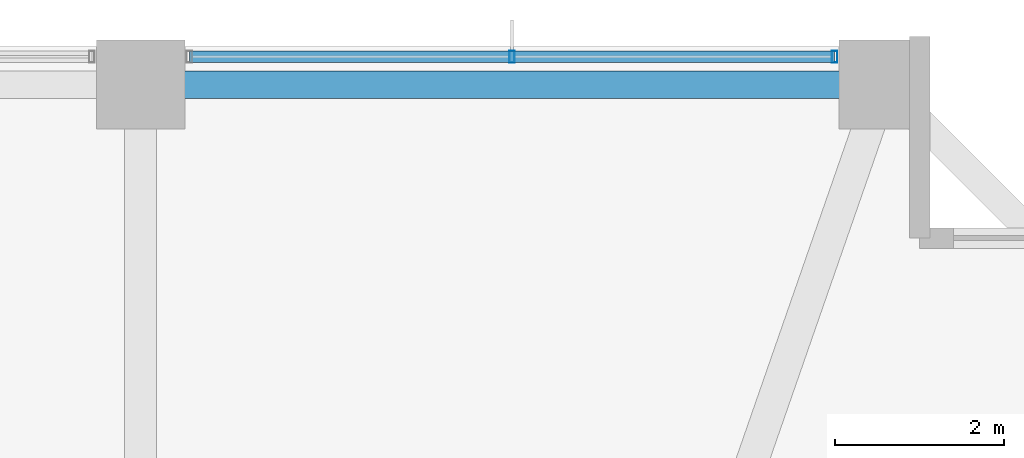
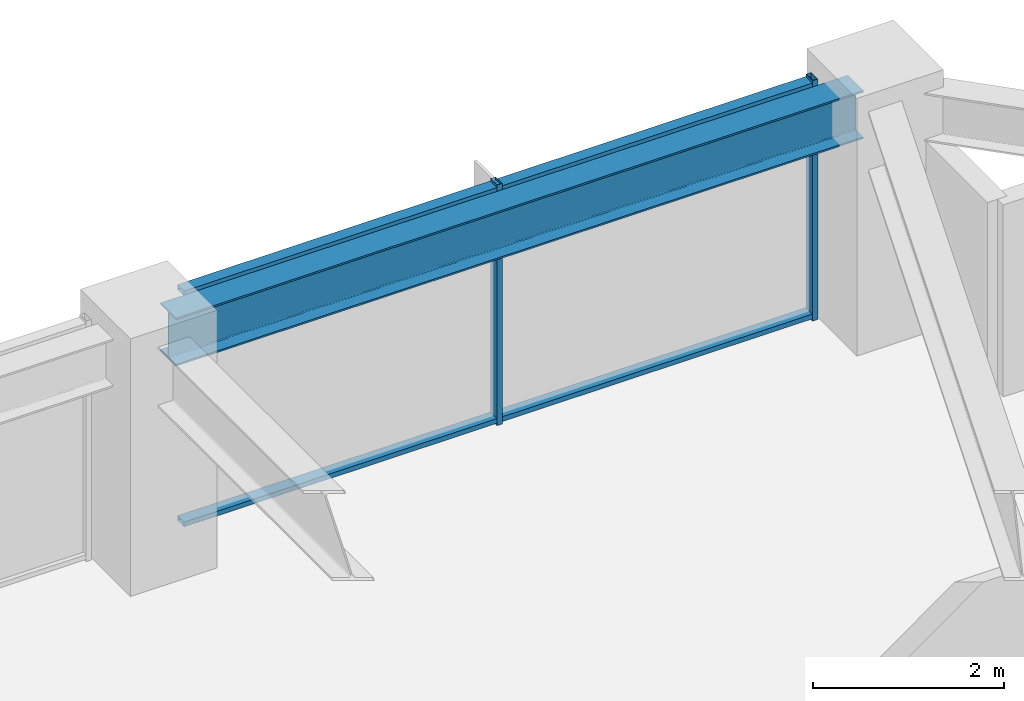
# One storey, part 24 of 36: 4 members, 1 beam, 1 element without a shape of its own.
"""IFC4 building model written with IfcOpenShell, lengths in metres."""

from ifc_helpers import new_model, si_unit, direction, frame, origin, origin_2d, place, context, subcontext, project, spatial, hollow_rectangle, i_section, extrude, material, material_profile, profile_set, type_object, element, aggregate, save


model = new_model("IFC4")

# Units and contexts
model_context = context("Model", 3, precision=1e-05, world=origin(), true_north=direction((0.0, 1.0)))
body_context = subcontext(model_context, "Body", "Model", "MODEL_VIEW")
ifc_project = project(units=[si_unit("LENGTHUNIT", "METRE"), si_unit("AREAUNIT", "SQUARE_METRE"), si_unit("VOLUMEUNIT", "CUBIC_METRE"), si_unit("PLANEANGLEUNIT", "RADIAN"), si_unit("MASSUNIT", "GRAM", prefix="KILO")], contexts=[model_context])

# Site, building, storey
site_placement = place(None, origin())
site = spatial("IfcSite", under=ifc_project, at=site_placement, CompositionType="ELEMENT")
building_placement = place(site_placement, origin())
building = spatial("IfcBuilding", under=site, at=building_placement, Name="Kolvaren Belvedere", CompositionType="ELEMENT")
storey_placement = place(building_placement, frame((0.0, 0.0, 95.300048828125)))
storey = spatial("IfcBuildingStorey", under=building, at=storey_placement, Name="L27", CompositionType="ELEMENT", Elevation=95.300048828125)

# Beam
ifc_material_1 = material(Name="Structural steel ASTM A992 Grade 50", Category="steel")
ifc_material_profile_1 = material_profile(ifc_material_1, i_section(OverallWidth=0.324951171875, OverallDepth=0.615966796875, WebThickness=0.013916015625, FlangeThickness=0.021484375, FilletRadius=0.02001953125, at=origin_2d()), Name="W24X117")
ifc_profile_set_1 = profile_set([ifc_material_profile_1], Name="Structural steel ASTM A992 Grade 50")
beam_type = type_object("IfcBeamType", Name="BM-SPAN-W24X117", PredefinedType="SPANDREL", material=ifc_profile_set_1)
beam_placement = place(storey_placement, frame((13.163818359375, 19.949951171875, 2.77197265625), z_axis=(-1.0, 0.0, 0.0), x_axis=(0.0, -1.0, 0.0)))
element("IfcBeam", 1, at=beam_placement, inside=storey, type_object=beam_type, Name="L27 Perimeter Spandrel N4-N3", PredefinedType="SPANDREL", context=body_context, shape_type="SweptSolid", body=[
    extrude(i_section(OverallWidth=0.324951171875, OverallDepth=0.615966796875, WebThickness=0.013916015625, FlangeThickness=0.021484375, FilletRadius=0.02001953125, at=origin_2d()), origin(), (0.0, 0.0, 1.0), 8.32763671875),
])

# Curtain wall, members
ifc_material_2 = material(Name="Anodised pale-metal aluminium AA 6063-T6", Category="aluminium")
curtain_wall_type = type_object("IfcCurtainWallType", Name="CW-Z2-MID", PredefinedType="NOTDEFINED", material=ifc_material_2)
curtain_wall_placement = place(storey_placement, origin())
curtain_wall = element("IfcCurtainWall", 2, at=curtain_wall_placement, inside=storey, type_object=curtain_wall_type, Name="L27 Unitised Curtain Wall FCW-L27-N-B3", PredefinedType="NOTDEFINED")
ifc_material_3 = material(Name="Anodised pale-metal aluminium AA 6063-T6", Category="aluminium")
ifc_material_profile_2 = material_profile(ifc_material_3, hollow_rectangle(XDim=0.06494140625, YDim=0.139892578125, WallThickness=0.00390625, at=origin_2d()), Name="ALU-MUL-140X65")
ifc_profile_set_2 = profile_set([ifc_material_profile_2], Name="Anodised pale-metal aluminium AA 6063-T6")
member_type_1 = type_object("IfcMemberType", Name="CW-MUL-140", PredefinedType="MULLION", material=ifc_profile_set_2)
member_1_placement = place(storey_placement, frame((9.0, 20.280029296875, 0.0), z_axis=(0.0, 0.0, 1.0), x_axis=(1.0, 0.0, 0.0)))
member_1 = element("IfcMember", 3, at=member_1_placement, type_object=member_type_1, Name="FCW-L27-N-B3 Unitised Mullion 2", PredefinedType="MULLION", context=body_context, shape_type="SweptSolid", body=[
    extrude(hollow_rectangle(XDim=0.06494140625, YDim=0.139892578125, WallThickness=0.00390625, at=origin_2d()), origin(), (0.0, 0.0, 1.0), 3.079833984375),
])
member_2_placement = place(storey_placement, frame((12.822509765625, 20.280029296875, 0.0), z_axis=(0.0, 0.0, 1.0), x_axis=(1.0, 0.0, 0.0)))
member_2 = element("IfcMember", 4, at=member_2_placement, type_object=member_type_1, Name="FCW-L27-N-B3 Unitised Mullion 3", PredefinedType="MULLION", context=body_context, shape_type="SweptSolid", body=[
    extrude(hollow_rectangle(XDim=0.06494140625, YDim=0.139892578125, WallThickness=0.00390625, at=origin_2d()), origin(), (0.0, 0.0, 1.0), 3.079833984375),
])
ifc_material_4 = material(Name="Anodised pale-metal aluminium AA 6063-T6", Category="aluminium")
ifc_material_profile_3 = material_profile(ifc_material_4, hollow_rectangle(XDim=0.06005859375, YDim=0.139892578125, WallThickness=0.00390625, at=origin_2d()), Name="ALU-TRN-140X60")
ifc_profile_set_3 = profile_set([ifc_material_profile_3], Name="Anodised pale-metal aluminium AA 6063-T6")
member_type_2 = type_object("IfcMemberType", Name="CW-TRN-140", PredefinedType="USERDEFINED", material=ifc_profile_set_3)
member_3_placement = place(storey_placement, frame((5.177490234375, 20.280029296875, 0.06005859375), z_axis=(1.0, 0.0, 0.0), x_axis=(0.0, 0.0, 1.0)))
member_3 = element("IfcMember", 5, at=member_3_placement, type_object=member_type_2, Name="FCW-L27-N-B3 Sill Transom", ObjectType="TRANSOM", PredefinedType="USERDEFINED", context=body_context, shape_type="SweptSolid", body=[
    extrude(hollow_rectangle(XDim=0.06005859375, YDim=0.139892578125, WallThickness=0.00390625, at=origin_2d()), origin(), (0.0, 0.0, 1.0), 7.64501953125),
])
member_4_placement = place(storey_placement, frame((5.177490234375, 20.280029296875, 3.02001953125), z_axis=(1.0, 0.0, 0.0), x_axis=(0.0, 0.0, 1.0)))
member_4 = element("IfcMember", 6, at=member_4_placement, type_object=member_type_2, Name="FCW-L27-N-B3 Head Transom", ObjectType="TRANSOM", PredefinedType="USERDEFINED", context=body_context, shape_type="SweptSolid", body=[
    extrude(hollow_rectangle(XDim=0.06005859375, YDim=0.139892578125, WallThickness=0.00390625, at=origin_2d()), origin(), (0.0, 0.0, 1.0), 7.64501953125),
])
aggregate(curtain_wall, [member_1, member_2, member_3, member_4])

save(model, "model.ifc")
